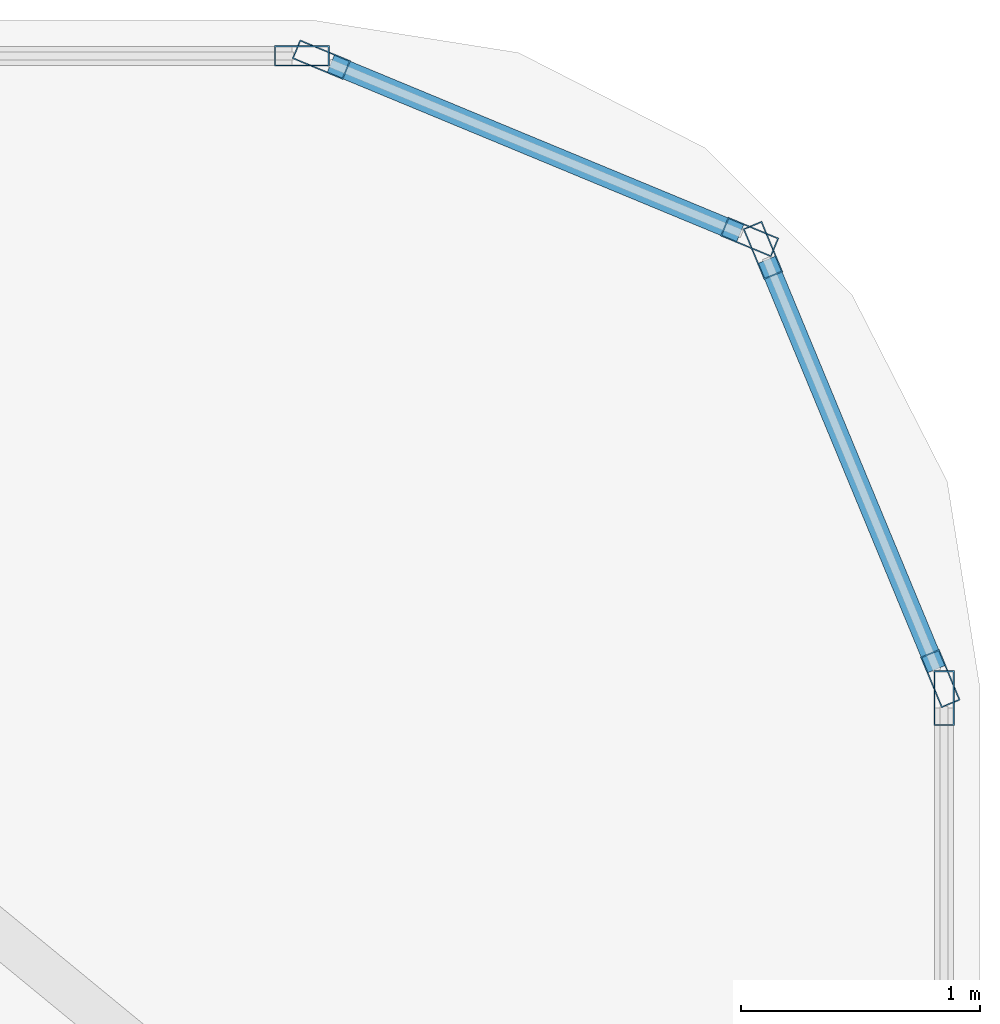
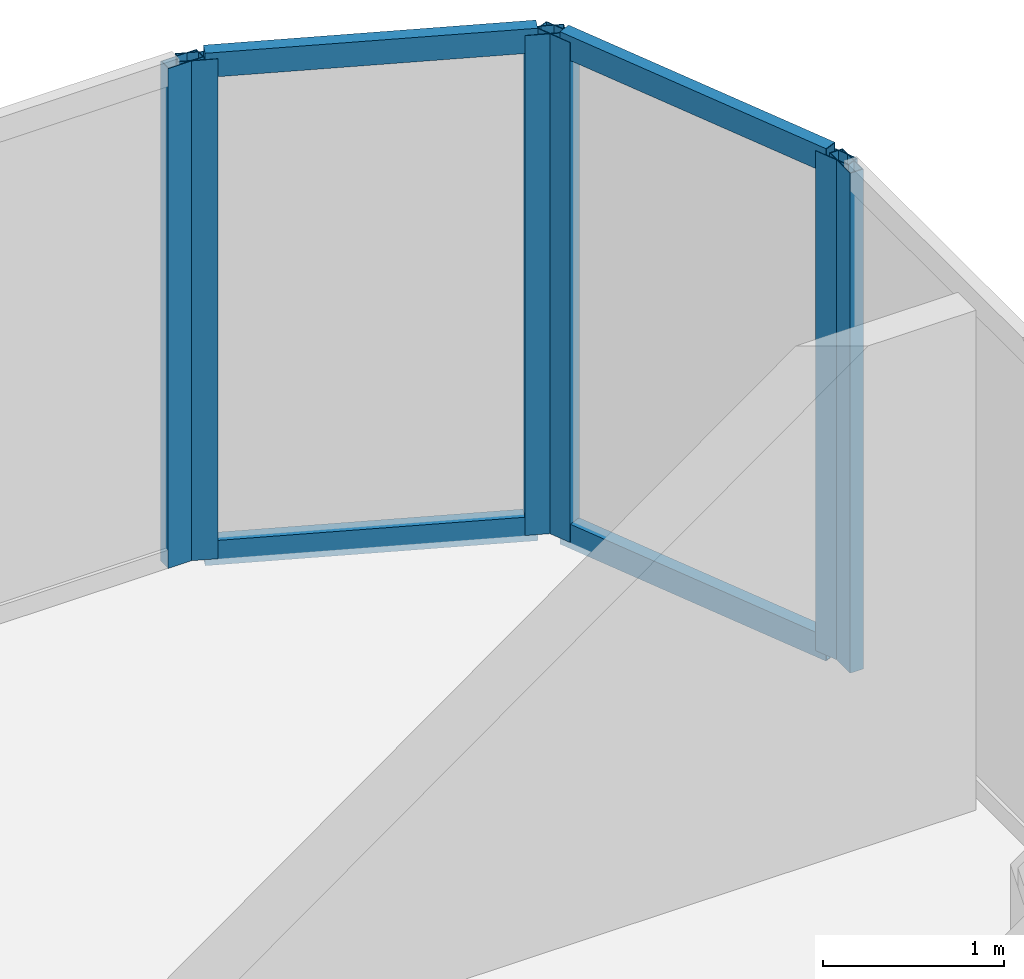
# One storey, part 8 of 11: 10 members, 4 elements without a shape of their own.
"""IFC4 building model written with IfcOpenShell, lengths in metres."""

from ifc_helpers import new_model, si_unit, direction, frame, origin, origin_2d, place, context, subcontext, project, spatial, hollow_rectangle, extrude, source, transform, mapped, material, layer, layer_set, material_profile, profile_set, type_object, element, aggregate, save


model = new_model("IFC4")

# Units and contexts
model_context = context("Model", 3, precision=1e-05, world=origin(), true_north=direction((0.0, 1.0)))
body_context = subcontext(model_context, "Body", "Model", "MODEL_VIEW")
ifc_project = project(units=[si_unit("LENGTHUNIT", "METRE"), si_unit("AREAUNIT", "SQUARE_METRE"), si_unit("VOLUMEUNIT", "CUBIC_METRE"), si_unit("PLANEANGLEUNIT", "RADIAN"), si_unit("MASSUNIT", "GRAM", prefix="KILO")], contexts=[model_context])

# Site, building, storey
site_placement = place(None, origin())
site = spatial("IfcSite", under=ifc_project, at=site_placement, CompositionType="ELEMENT")
building_placement = place(site_placement, origin())
building = spatial("IfcBuilding", under=site, at=building_placement, Name="Kolveth Station Tower", CompositionType="ELEMENT")
storey_placement = place(building_placement, frame((0.0, 0.0, 282.10009765625)))
storey = spatial("IfcBuildingStorey", under=building, at=storey_placement, Name="L81", CompositionType="ELEMENT", Elevation=282.10009765625)

# Curtain wall, member
ifc_material_1 = material(Name="Black anodized aluminium 6063-T6 and dark crown glass", Category="aluminium")
ifc_layer = layer(ifc_material_1, 0.169921875)
ifc_layer_set = layer_set([ifc_layer], Name="Black anodized aluminium 6063-T6 and dark crown glass")
curtain_wall_type = type_object("IfcCurtainWallType", Name="CurtainWall_CW-CR", PredefinedType="NOTDEFINED", material=ifc_layer_set)
curtain_wall_1_placement = place(storey_placement, origin())
curtain_wall_1 = element("IfcCurtainWall", 1, at=curtain_wall_1_placement, inside=storey, type_object=curtain_wall_type, Name="L81 Stepped Crown Curtain Wall 3", PredefinedType="NOTDEFINED")
ifc_material_2 = material(Name="Black anodized aluminium 6063-T6", Category="aluminium")
ifc_material_profile_1 = material_profile(ifc_material_2, hollow_rectangle(XDim=0.0849609375, YDim=0.22998046875, WallThickness=0.0048828125, at=origin_2d()), Name="ALU-85x230x5")
ifc_profile_set_1 = profile_set([ifc_material_profile_1], Name="Black anodized aluminium 6063-T6")
member_type_1 = type_object("IfcMemberType", Name="Mullion_ML-CR", PredefinedType="MULLION", material=ifc_profile_set_1)
shared_shape_1 = source(origin(), body_context, "Body", "SweptSolid", [
    extrude(hollow_rectangle(XDim=0.0849609375, YDim=0.22998046875, WallThickness=0.0048828125, at=origin_2d()), origin(), (0.0, 0.0, 1.0), 3.3798828125),
])
member_1_placement = place(storey_placement, frame((41.64990234375, 32.45751953125, 0.0), z_axis=(0.0, 0.0, 1.0), x_axis=(-1.0, 0.0, 0.0)))
member_1 = element("IfcMember", 2, at=member_1_placement, type_object=member_type_1, Name="CW-CR mullion 2", PredefinedType="MULLION", context=body_context, shape_type="MappedRepresentation", body=[
    mapped(shared_shape_1, transform((0.0, 0.0, 0.0), x_axis=(1.0, 0.0, 0.0), y_axis=(0.0, 1.0, 0.0), z_axis=(0.0, 0.0, 1.0), scale=1.0)),
])
aggregate(curtain_wall_1, [member_1])

# Curtain wall, members
curtain_wall_2_placement = place(storey_placement, origin())
curtain_wall_2 = element("IfcCurtainWall", 3, at=curtain_wall_2_placement, inside=storey, type_object=curtain_wall_type, Name="L81 Stepped Crown Curtain Wall 4", PredefinedType="NOTDEFINED")
member_2_placement = place(storey_placement, frame((41.6337890625, 32.539306640625, 0.0), z_axis=(0.0, 0.0, 1.0), x_axis=(-0.92387140439, -0.382703054797, 0.0)))
member_2 = element("IfcMember", 4, at=member_2_placement, type_object=member_type_1, Name="CW-CR mullion 1", PredefinedType="MULLION", context=body_context, shape_type="MappedRepresentation", body=[
    mapped(shared_shape_1, transform((0.0, 0.0, 0.0), x_axis=(1.0, 0.0, 0.0), y_axis=(0.0, 1.0, 0.0), z_axis=(0.0, 0.0, 1.0), scale=1.0)),
])
member_3_placement = place(storey_placement, frame((40.89013671875, 34.33447265625, 0.0), z_axis=(0.0, 0.0, 1.0), x_axis=(-0.92387140439, -0.382703054797, 0.0)))
member_3 = element("IfcMember", 5, at=member_3_placement, type_object=member_type_1, Name="CW-CR mullion 2", PredefinedType="MULLION", context=body_context, shape_type="MappedRepresentation", body=[
    mapped(shared_shape_1, transform((0.0, 0.0, 0.0), x_axis=(1.0, 0.0, 0.0), y_axis=(0.0, 1.0, 0.0), z_axis=(0.0, 0.0, 1.0), scale=1.0)),
])

curtain_wall_3_placement = place(storey_placement, origin())
curtain_wall_3 = element("IfcCurtainWall", 6, at=curtain_wall_3_placement, inside=storey, type_object=curtain_wall_type, Name="L81 Stepped Crown Curtain Wall 5", PredefinedType="NOTDEFINED")
member_4_placement = place(storey_placement, frame((40.83447265625, 34.39013671875, 0.0), z_axis=(0.0, 0.0, 1.0), x_axis=(-0.382703054797, -0.92387140439, 0.0)))
member_4 = element("IfcMember", 7, at=member_4_placement, type_object=member_type_1, Name="CW-CR mullion 1", PredefinedType="MULLION", context=body_context, shape_type="MappedRepresentation", body=[
    mapped(shared_shape_1, transform((0.0, 0.0, 0.0), x_axis=(1.0, 0.0, 0.0), y_axis=(0.0, 1.0, 0.0), z_axis=(0.0, 0.0, 1.0), scale=1.0)),
])
member_5_placement = place(storey_placement, frame((39.039306640625, 35.1337890625, 0.0), z_axis=(0.0, 0.0, 1.0), x_axis=(-0.382703054797, -0.92387140439, 0.0)))
member_5 = element("IfcMember", 8, at=member_5_placement, type_object=member_type_1, Name="CW-CR mullion 2", PredefinedType="MULLION", context=body_context, shape_type="MappedRepresentation", body=[
    mapped(shared_shape_1, transform((0.0, 0.0, 0.0), x_axis=(1.0, 0.0, 0.0), y_axis=(0.0, 1.0, 0.0), z_axis=(0.0, 0.0, 1.0), scale=1.0)),
])

# Curtain wall, member
curtain_wall_4_placement = place(storey_placement, origin())
curtain_wall_4 = element("IfcCurtainWall", 9, at=curtain_wall_4_placement, inside=storey, type_object=curtain_wall_type, Name="L81 Stepped Crown Curtain Wall 6", PredefinedType="NOTDEFINED")
member_6_placement = place(storey_placement, frame((38.95751953125, 35.14990234375, 0.0), z_axis=(0.0, 0.0, 1.0), x_axis=(0.0, -1.0, 0.0)))
member_6 = element("IfcMember", 10, at=member_6_placement, type_object=member_type_1, Name="CW-CR mullion 1", PredefinedType="MULLION", context=body_context, shape_type="MappedRepresentation", body=[
    mapped(shared_shape_1, transform((0.0, 0.0, 0.0), x_axis=(1.0, 0.0, 0.0), y_axis=(0.0, 1.0, 0.0), z_axis=(0.0, 0.0, 1.0), scale=1.0)),
])
aggregate(curtain_wall_4, [member_6])

# Member
ifc_material_profile_2 = material_profile(ifc_material_2, hollow_rectangle(XDim=0.080078125, YDim=0.1650390625, WallThickness=0.0048828125, at=origin_2d()), Name="ALU-80x165x5")
ifc_profile_set_2 = profile_set([ifc_material_profile_2], Name="Black anodized aluminium 6063-T6")
member_type_2 = type_object("IfcMemberType", Name="Transom_TR-CR", PredefinedType="USERDEFINED", material=ifc_profile_set_2)
shared_shape_2 = source(origin(), body_context, "Body", "SweptSolid", [
    extrude(hollow_rectangle(XDim=0.080078125, YDim=0.1650390625, WallThickness=0.0048828125, at=origin_2d()), origin(), (0.0, 0.0, 1.0), 1.858154296875),
])
member_7_placement = place(storey_placement, frame((41.617431640625, 32.57861328125, 0.039794921875), z_axis=(-0.382757950997, 0.923848662362, 0.0), x_axis=(-0.923848662362, -0.382757950997, 0.0)))
member_7 = element("IfcMember", 11, at=member_7_placement, type_object=member_type_2, Name="CW-CR transom 1.1", ObjectType="TRANSOM", PredefinedType="USERDEFINED", context=body_context, shape_type="MappedRepresentation", body=[
    mapped(shared_shape_2, transform((0.0, 0.0, 0.0), x_axis=(1.0, 0.0, 0.0), y_axis=(0.0, 1.0, 0.0), z_axis=(0.0, 0.0, 1.0), scale=1.0)),
])

member_8_placement = place(storey_placement, frame((41.617431640625, 32.57861328125, 3.33984375), z_axis=(-0.382757950997, 0.923848662362, 0.0), x_axis=(-0.923848662362, -0.382757950997, 0.0)))
member_8 = element("IfcMember", 12, at=member_8_placement, type_object=member_type_2, Name="CW-CR transom 1.2", ObjectType="TRANSOM", PredefinedType="USERDEFINED", context=body_context, shape_type="MappedRepresentation", body=[
    mapped(shared_shape_2, transform((0.0, 0.0, 0.0), x_axis=(1.0, 0.0, 0.0), y_axis=(0.0, 1.0, 0.0), z_axis=(0.0, 0.0, 1.0), scale=1.0)),
])

aggregate(curtain_wall_2, [member_2, member_3, member_7, member_8])

member_9_placement = place(storey_placement, frame((40.795166015625, 34.40625, 0.039794921875), z_axis=(-0.923848662362, 0.382757950997, 0.0), x_axis=(-0.382757950997, -0.923848662362, 0.0)))
member_9 = element("IfcMember", 13, at=member_9_placement, type_object=member_type_2, Name="CW-CR transom 1.1", ObjectType="TRANSOM", PredefinedType="USERDEFINED", context=body_context, shape_type="MappedRepresentation", body=[
    mapped(shared_shape_2, transform((0.0, 0.0, 0.0), x_axis=(1.0, 0.0, 0.0), y_axis=(0.0, 1.0, 0.0), z_axis=(0.0, 0.0, 1.0), scale=1.0)),
])

member_10_placement = place(storey_placement, frame((40.795166015625, 34.40625, 3.33984375), z_axis=(-0.923848662362, 0.382757950997, 0.0), x_axis=(-0.382757950997, -0.923848662362, 0.0)))
member_10 = element("IfcMember", 14, at=member_10_placement, type_object=member_type_2, Name="CW-CR transom 1.2", ObjectType="TRANSOM", PredefinedType="USERDEFINED", context=body_context, shape_type="MappedRepresentation", body=[
    mapped(shared_shape_2, transform((0.0, 0.0, 0.0), x_axis=(1.0, 0.0, 0.0), y_axis=(0.0, 1.0, 0.0), z_axis=(0.0, 0.0, 1.0), scale=1.0)),
])

aggregate(curtain_wall_3, [member_4, member_5, member_9, member_10])

save(model, "model.ifc")
